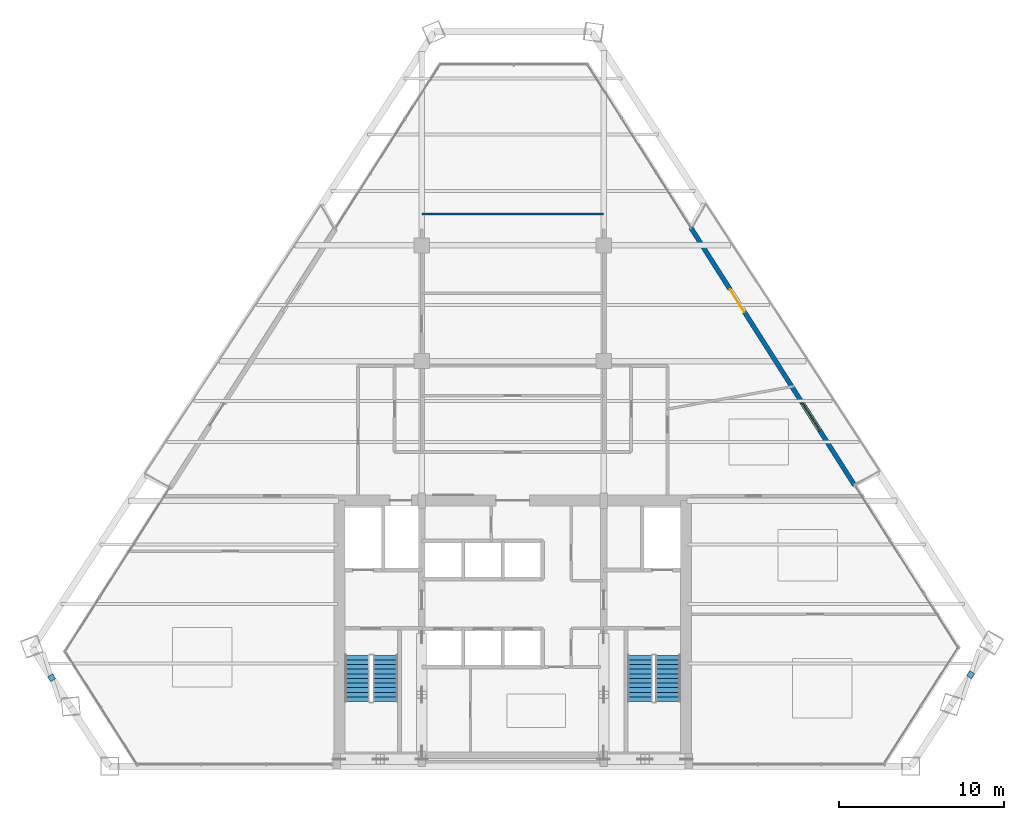
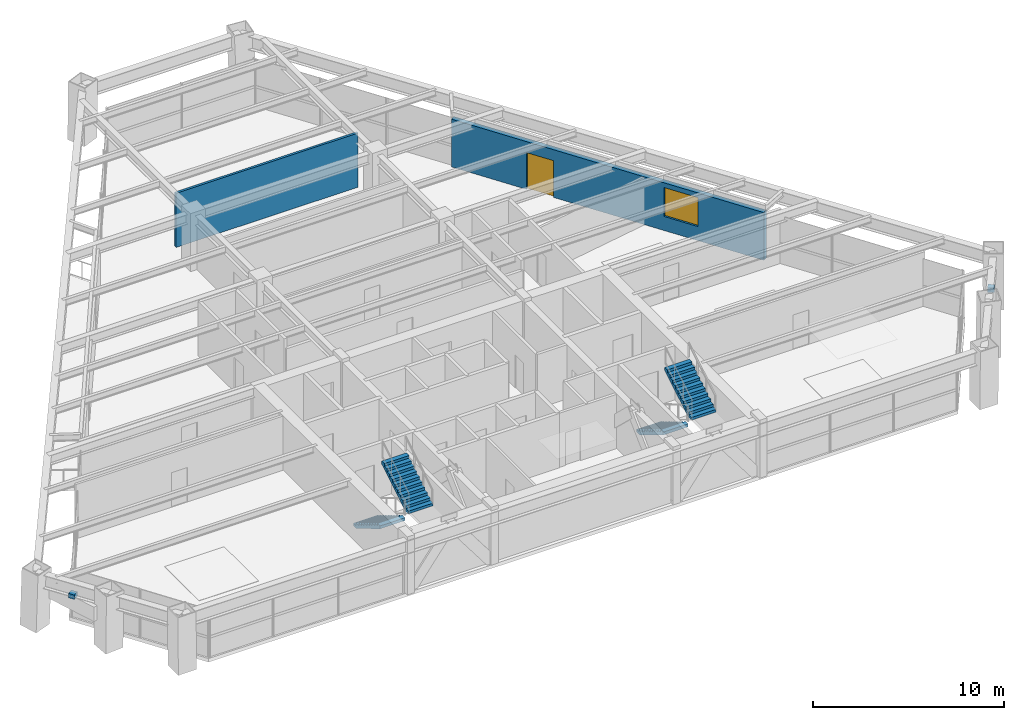
# One storey, part 13 of 15: 4 stair flights, 2 discrete accessories, 2 walls, 1 door, 1 window, 2 openings, 2 elements without a shape of their own.
"""IFC4 building model written with IfcOpenShell, lengths in metres."""

from ifc_helpers import new_model, si_unit, direction, frame, frame_2d, origin, origin_2d, place, context, subcontext, project, spatial, polyline, rectangle, outline, extrude, source, transform, mapped, material, layer, layer_set, type_object, type_shapes, element, fill, aggregate, save


model = new_model("IFC4")

# Units and contexts
model_context = context("Model", 3, precision=1e-05, world=origin(), true_north=direction((0.0, 1.0)))
body_context = subcontext(model_context, "Body", "Model", "MODEL_VIEW")
ifc_project = project(units=[si_unit("LENGTHUNIT", "METRE"), si_unit("AREAUNIT", "SQUARE_METRE"), si_unit("VOLUMEUNIT", "CUBIC_METRE"), si_unit("PLANEANGLEUNIT", "RADIAN"), si_unit("MASSUNIT", "GRAM", prefix="KILO")], contexts=[model_context])

# Site, building, storey
site_placement = place(None, origin())
site = spatial("IfcSite", under=ifc_project, at=site_placement, CompositionType="ELEMENT")
building_placement = place(site_placement, origin())
building = spatial("IfcBuilding", under=site, at=building_placement, Name="Varnakhor Terracotta Tower", CompositionType="ELEMENT")
storey_placement = place(building_placement, frame((0.0, 0.0, 158.89990234375)))
storey = spatial("IfcBuildingStorey", under=building, at=storey_placement, Name="L40", CompositionType="ELEMENT", Elevation=158.89990234375)

# Wall, openings, door, window
ifc_material_1 = material(Name="Extruded Architectural Terracotta Assembly", Category="masonry")
ifc_layer_1 = layer(ifc_material_1, 0.280029296875, Name="Extruded Architectural Terracotta Assembly")
ifc_layer_set_1 = layer_set([ifc_layer_1], Name="Extruded Architectural Terracotta Assembly")
wall_type_1 = type_object("IfcWallType", Name="WAL-EXT-TERRACOTTA-280", PredefinedType="SOLIDWALL", material=ifc_layer_set_1)
wall_1_placement = place(storey_placement, frame((10.7734375, 32.568603515625, 0.0), z_axis=(0.0, 0.0, 1.0), x_axis=(0.536444584594, -0.8439355471, 0.0)))
wall_1 = element("IfcWall", 1, at=wall_1_placement, inside=storey, type_object=wall_type_1, Name="L40 E Loggia Insulated Terracotta Wall", PredefinedType="SOLIDWALL", context=body_context, shape_type="SweptSolid", body=[
    extrude(rectangle(XDim=18.443359375, YDim=0.280029296875, at=frame_2d((9.2216796875, 0.0))), origin(), (0.0, 0.0, 1.0), 3.050048828125),
])
opening_1_placement = place(wall_1_placement, frame((4.426513671875, 0.0, 0.0)))
opening_1 = element("IfcOpeningElement", 2, at=opening_1_placement, cuts=wall_1, Name="Opening DR-62", PredefinedType="OPENING", context=body_context, shape_type="SweptSolid", body=[
    extrude(rectangle(XDim=1.60009765625, YDim=2.35009765625, at=frame_2d((0.800048828125, 1.175048828125))), frame((0.0, 0.14990234375, 0.0), z_axis=(0.0, -1.0, 0.0), x_axis=(1.0, 0.0, 0.0)), (0.0, 0.0, 1.0), 0.300048828125),
])
opening_2_placement = place(wall_1_placement, frame((12.54150390625, 0.0, 0.89990234375)))
opening_2 = element("IfcOpeningElement", 3, at=opening_2_placement, cuts=wall_1, Name="Opening WN-26", PredefinedType="OPENING", context=body_context, shape_type="SweptSolid", body=[
    extrude(rectangle(XDim=2.0, YDim=1.85009765625, at=frame_2d((1.0, 0.925048828125))), frame((0.0, 0.14990234375, 0.0), z_axis=(0.0, -1.0, 0.0), x_axis=(1.0, 0.0, 0.0)), (0.0, 0.0, 1.0), 0.300048828125),
])
ifc_material_2 = material(Name="Thermally Broken Sliding Glass Loggia Door", Category="glass")
door_type = type_object("IfcDoorType", Name="DR-EXT-LOGGIA-1600X2350", OperationType="NOTDEFINED", PredefinedType="DOOR", material=ifc_material_2)
shared_shape_1 = source(origin(), body_context, "Body", "SweptSolid", [
    extrude(rectangle(XDim=1.60009765625, YDim=2.35009765625, at=frame_2d((0.800048828125, 1.175048828125))), frame((0.0, 0.02490234375, 0.0), z_axis=(0.0, -1.0, 0.0), x_axis=(1.0, 0.0, 0.0)), (0.0, 0.0, 1.0), 0.050048828125),
])
type_shapes(door_type, [shared_shape_1])
door_placement = place(opening_1_placement, origin())
door = element("IfcDoor", 4, at=door_placement, inside=storey, type_object=door_type, Name="L40 E Recessed Loggia Sliding Door", OperationType="SLIDING_TO_RIGHT", OverallHeight=2.35009765625, OverallWidth=1.60009765625, PredefinedType="DOOR", context=body_context, shape_type="MappedRepresentation", body=[
    mapped(shared_shape_1, transform((0.0, 0.0, 0.0), scale=1.0)),
])
fill(opening_1, door)
ifc_material_3 = material(Name="Solar-Control Low-E Insulated Glass Unit", Category="glass")
window_type = type_object("IfcWindowType", Name="WIN-OFF-2200X2100", PartitioningType="SINGLE_PANEL", PredefinedType="WINDOW", material=ifc_material_3)
shared_shape_2 = source(origin(), body_context, "Body", "SweptSolid", [
    extrude(rectangle(XDim=2.0, YDim=1.85009765625, at=frame_2d((1.0, 0.925048828125))), frame((0.0, 0.030029296875, 0.0), z_axis=(0.0, -1.0, 0.0), x_axis=(1.0, 0.0, 0.0)), (0.0, 0.0, 1.0), 0.06005859375),
])
type_shapes(window_type, [shared_shape_2])
window_placement = place(opening_2_placement, origin())
window = element("IfcWindow", 5, at=window_placement, inside=storey, type_object=window_type, Name="L40 E Facet Punched Window", OverallHeight=1.85009765625, OverallWidth=2.0, PartitioningType="SINGLE_PANEL", PredefinedType="WINDOW", context=body_context, shape_type="MappedRepresentation", body=[
    mapped(shared_shape_2, transform((0.0, 0.0, 0.0), scale=1.0)),
])
fill(opening_2, window)

# Wall
ifc_material_4 = material(Name="Acoustic Metal-Stud Partition", Category="gypsum")
ifc_layer_2 = layer(ifc_material_4, 0.139892578125, Name="Acoustic Metal-Stud Partition")
ifc_layer_set_2 = layer_set([ifc_layer_2], Name="Acoustic Metal-Stud Partition")
wall_type_2 = type_object("IfcWallType", Name="WAL-PART-140", PredefinedType="PARTITIONING", material=ifc_layer_set_2)
wall_2_placement = place(storey_placement, frame((-5.5, 33.39990234375, 0.0), z_axis=(0.0, 0.0, 1.0), x_axis=(1.0, 0.0, 0.0)))
element("IfcWall", 6, at=wall_2_placement, inside=storey, type_object=wall_type_2, Name="L40 Center Cross Cut 3", PredefinedType="PARTITIONING", context=body_context, shape_type="SweptSolid", body=[
    extrude(rectangle(XDim=11.0, YDim=0.139892578125, at=frame_2d((5.5, 0.0))), origin(), (0.0, 0.0, 1.0), 3.462158203125),
])

# Stair, stair flights
ifc_material_5 = material(Name="Concrete C40/50", Category="concrete")
stair_type = type_object("IfcStairType", Name="STR-CORE-OFFICE-1500", PredefinedType="HALF_TURN_STAIR", material=ifc_material_5)
stair_1_placement = place(storey_placement, origin())
stair_1 = element("IfcStair", 7, at=stair_1_placement, inside=storey, type_object=stair_type, Name="L40 Core Exit Stair ST-1", PredefinedType="HALF_TURN_STAIR")
stair_flight_type = type_object("IfcStairFlightType", Name="FLT-CORE-1500", PredefinedType="STRAIGHT", material=ifc_material_5)
stair_flight_1_placement = place(storey_placement, frame((-9.39990234375, 6.7099609375, 0.0), z_axis=(0.0, 0.0, 1.0), x_axis=(0.0, -1.0, 0.0)))
stair_flight_1 = element("IfcStairFlight", 8, at=stair_flight_1_placement, type_object=stair_flight_type, Name="ST-1 flight 1", NumberOfRisers=11, NumberOfTreads=10, PredefinedType="STRAIGHT", RiserHeight=0.168181818, TreadLength=0.28, context=body_context, shape_type="SweptSolid", body=[
    extrude(outline(polyline([(0.0, 0.0), (0.0, 0.168212890625), (0.280029296875, 0.168212890625), (0.280029296875, 0.33642578125), (0.56005859375, 0.33642578125), (0.56005859375, 0.504638671875), (0.840087890625, 0.504638671875), (0.840087890625, 0.672607421875), (1.1201171875, 0.672607421875), (1.1201171875, 0.8408203125), (1.39990234375, 0.8408203125), (1.39990234375, 1.009033203125), (1.679931640625, 1.009033203125), (1.679931640625, 1.17724609375), (1.9599609375, 1.17724609375), (1.9599609375, 1.345458984375), (2.239990234375, 1.345458984375), (2.239990234375, 1.513671875), (2.52001953125, 1.513671875), (2.52001953125, 1.681884765625), (2.800048828125, 1.681884765625), (2.800048828125, 1.85009765625), (2.800048828125, 1.495361328125), (0.310546875, 0.0), (0.0, 0.0)])), frame((0.0, 0.75, 0.0), z_axis=(0.0, -1.0, 0.0), x_axis=(1.0, 0.0, 0.0)), (0.0, 0.0, 1.0), 1.5),
])
stair_flight_2_placement = place(storey_placement, frame((-7.699951171875, 3.909912109375, 1.85009765625), z_axis=(0.0, 0.0, 1.0), x_axis=(0.0, 1.0, 0.0)))
stair_flight_2 = element("IfcStairFlight", 9, at=stair_flight_2_placement, type_object=stair_flight_type, Name="ST-1 flight 2", NumberOfRisers=11, NumberOfTreads=10, PredefinedType="STRAIGHT", RiserHeight=0.168181818, TreadLength=0.28, context=body_context, shape_type="SweptSolid", body=[
    extrude(outline(polyline([(0.0, 0.0), (0.0, 0.168212890625), (0.280029296875, 0.168212890625), (0.280029296875, 0.33642578125), (0.56005859375, 0.33642578125), (0.56005859375, 0.504638671875), (0.840087890625, 0.504638671875), (0.840087890625, 0.672607421875), (1.1201171875, 0.672607421875), (1.1201171875, 0.8408203125), (1.39990234375, 0.8408203125), (1.39990234375, 1.009033203125), (1.679931640625, 1.009033203125), (1.679931640625, 1.17724609375), (1.9599609375, 1.17724609375), (1.9599609375, 1.345458984375), (2.239990234375, 1.345458984375), (2.239990234375, 1.513671875), (2.52001953125, 1.513671875), (2.52001953125, 1.681884765625), (2.800048828125, 1.681884765625), (2.800048828125, 1.85009765625), (2.800048828125, 1.495361328125), (0.310546875, 0.0), (0.0, 0.0)])), frame((0.0, 0.75, 0.0), z_axis=(0.0, -1.0, 0.0), x_axis=(1.0, 0.0, 0.0)), (0.0, 0.0, 1.0), 1.5),
])
aggregate(stair_1, [stair_flight_1, stair_flight_2])

stair_2_placement = place(storey_placement, origin())
stair_2 = element("IfcStair", 10, at=stair_2_placement, inside=storey, type_object=stair_type, Name="L40 Core Exit Stair ST-2", PredefinedType="HALF_TURN_STAIR")
stair_flight_3_placement = place(storey_placement, frame((7.699951171875, 6.7099609375, 0.0), z_axis=(0.0, 0.0, 1.0), x_axis=(0.0, -1.0, 0.0)))
stair_flight_3 = element("IfcStairFlight", 11, at=stair_flight_3_placement, type_object=stair_flight_type, Name="ST-2 flight 1", NumberOfRisers=11, NumberOfTreads=10, PredefinedType="STRAIGHT", RiserHeight=0.168181818, TreadLength=0.28, context=body_context, shape_type="SweptSolid", body=[
    extrude(outline(polyline([(0.0, 0.0), (0.0, 0.168212890625), (0.280029296875, 0.168212890625), (0.280029296875, 0.33642578125), (0.56005859375, 0.33642578125), (0.56005859375, 0.504638671875), (0.840087890625, 0.504638671875), (0.840087890625, 0.672607421875), (1.1201171875, 0.672607421875), (1.1201171875, 0.8408203125), (1.39990234375, 0.8408203125), (1.39990234375, 1.009033203125), (1.679931640625, 1.009033203125), (1.679931640625, 1.17724609375), (1.9599609375, 1.17724609375), (1.9599609375, 1.345458984375), (2.239990234375, 1.345458984375), (2.239990234375, 1.513671875), (2.52001953125, 1.513671875), (2.52001953125, 1.681884765625), (2.800048828125, 1.681884765625), (2.800048828125, 1.85009765625), (2.800048828125, 1.495361328125), (0.310546875, 0.0), (0.0, 0.0)])), frame((0.0, 0.75, 0.0), z_axis=(0.0, -1.0, 0.0), x_axis=(1.0, 0.0, 0.0)), (0.0, 0.0, 1.0), 1.5),
])
stair_flight_4_placement = place(storey_placement, frame((9.39990234375, 3.909912109375, 1.85009765625), z_axis=(0.0, 0.0, 1.0), x_axis=(0.0, 1.0, 0.0)))
stair_flight_4 = element("IfcStairFlight", 12, at=stair_flight_4_placement, type_object=stair_flight_type, Name="ST-2 flight 2", NumberOfRisers=11, NumberOfTreads=10, PredefinedType="STRAIGHT", RiserHeight=0.168181818, TreadLength=0.28, context=body_context, shape_type="SweptSolid", body=[
    extrude(outline(polyline([(0.0, 0.0), (0.0, 0.168212890625), (0.280029296875, 0.168212890625), (0.280029296875, 0.33642578125), (0.56005859375, 0.33642578125), (0.56005859375, 0.504638671875), (0.840087890625, 0.504638671875), (0.840087890625, 0.672607421875), (1.1201171875, 0.672607421875), (1.1201171875, 0.8408203125), (1.39990234375, 0.8408203125), (1.39990234375, 1.009033203125), (1.679931640625, 1.009033203125), (1.679931640625, 1.17724609375), (1.9599609375, 1.17724609375), (1.9599609375, 1.345458984375), (2.239990234375, 1.345458984375), (2.239990234375, 1.513671875), (2.52001953125, 1.513671875), (2.52001953125, 1.681884765625), (2.800048828125, 1.681884765625), (2.800048828125, 1.85009765625), (2.800048828125, 1.495361328125), (0.310546875, 0.0), (0.0, 0.0)])), frame((0.0, 0.75, 0.0), z_axis=(0.0, -1.0, 0.0), x_axis=(1.0, 0.0, 0.0)), (0.0, 0.0, 1.0), 1.5),
])
aggregate(stair_2, [stair_flight_3, stair_flight_4])

# Discrete accessories
ifc_material_6 = material(Name="Stainless Steel Fixing Bracket", Category="steel")
discrete_accessory_type = type_object("IfcDiscreteAccessoryType", Name="BRACKET-TERRACOTTA-SCREEN", PredefinedType="BRACKET", material=ifc_material_6)
shared_shape_3 = source(origin(), body_context, "Body", "SweptSolid", [
    extrude(rectangle(XDim=0.35009765625, YDim=0.35009765625, at=origin_2d()), origin(), (0.0, 0.0, 1.0), 0.280029296875),
])
type_shapes(discrete_accessory_type, [shared_shape_3])
for number, where, z_axis, x_axis, name in (
    (13, (27.697998046875, 5.530029296875, 2.48486328125), (0.0, 0.0, 1.0), (0.546379729029, 0.837537576295, 0.0), "L40 E Screen Fixing Bracket"),
    (14, (-27.889404296875, 5.349853515625, 2.48486328125), (0.0, 0.0, 1.0), (0.545882628055, -0.83786165707, 0.0), "L40 W Screen Fixing Bracket"),
):
    element("IfcDiscreteAccessory", number, at=place(storey_placement, frame(where, z_axis=z_axis, x_axis=x_axis)), inside=storey, type_object=discrete_accessory_type, Name=name, PredefinedType="BRACKET", context=body_context, shape_type="MappedRepresentation", body=[
        mapped(shared_shape_3, transform((0.0, 0.0, 0.0), scale=1.0)),
    ])

save(model, "model.ifc")
